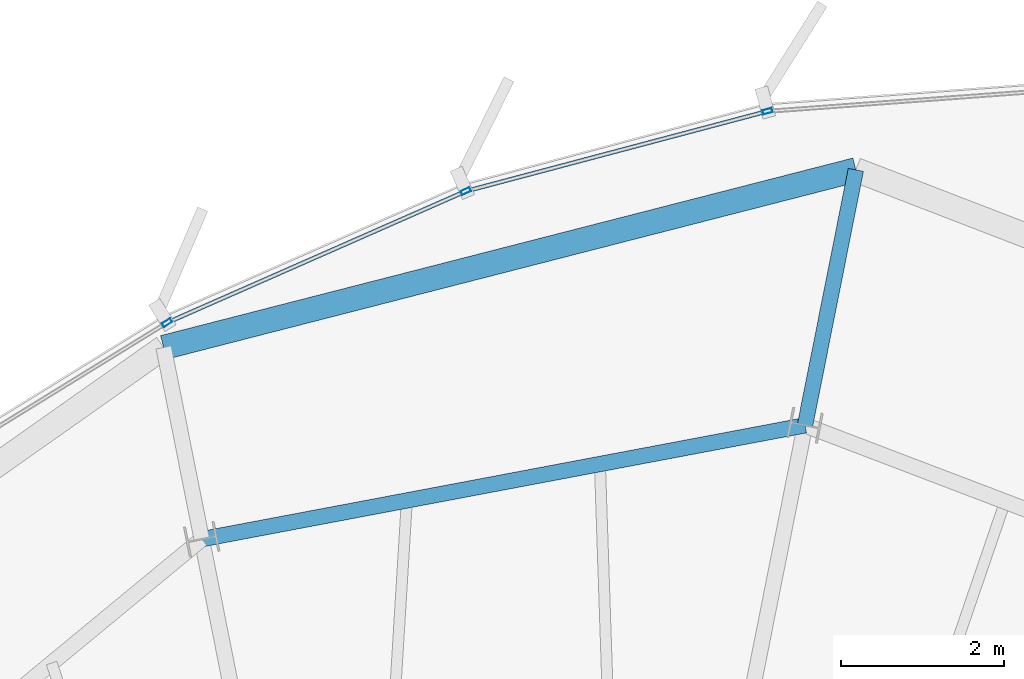
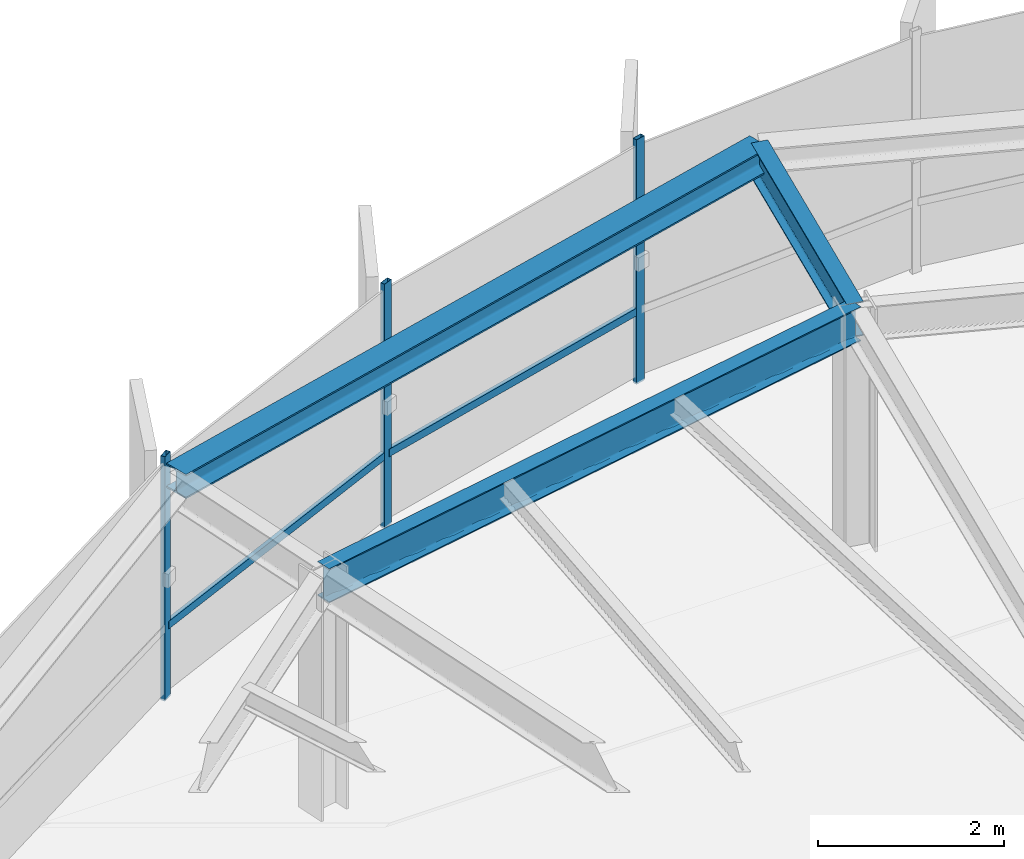
# One storey, part 20 of 31: 5 members, 3 beams, 1 element without a shape of its own.
"""IFC4 building model written with IfcOpenShell, lengths in metres."""

from ifc_helpers import new_model, si_unit, direction, frame, origin, origin_2d, place, context, subcontext, project, spatial, hollow_rectangle, i_section, extrude, source, transform, mapped, material, layer, layer_set, material_profile, profile_set, type_object, element, aggregate, save


model = new_model("IFC4")

# Units and contexts
model_context = context("Model", 3, precision=1e-05, world=origin(), true_north=direction((0.0, 1.0)))
body_context = subcontext(model_context, "Body", "Model", "MODEL_VIEW")
ifc_project = project(units=[si_unit("LENGTHUNIT", "METRE"), si_unit("AREAUNIT", "SQUARE_METRE"), si_unit("VOLUMEUNIT", "CUBIC_METRE"), si_unit("PLANEANGLEUNIT", "RADIAN"), si_unit("MASSUNIT", "GRAM", prefix="KILO"), si_unit("THERMODYNAMICTEMPERATUREUNIT", "KELVIN")], contexts=[model_context])

# Site, building, storey
site_placement = place(None, origin())
site = spatial("IfcSite", under=ifc_project, at=site_placement, CompositionType="ELEMENT")
building_placement = place(site_placement, origin())
building = spatial("IfcBuilding", under=site, at=building_placement, Name="Kethvar Cultural Tower", CompositionType="ELEMENT")
storey_placement = place(building_placement, frame((0.0, 0.0, 269.800048828125)))
storey = spatial("IfcBuildingStorey", under=building, at=storey_placement, Name="L71", CompositionType="ELEMENT", Elevation=269.800048828125)

# Beams
ifc_material_1 = material(Name="Steel S355J2", Category="steel")
ifc_material_profile_1 = material_profile(ifc_material_1, i_section(OverallWidth=0.18994140625, OverallDepth=0.449951171875, WebThickness=0.009521484375, FlangeThickness=0.0146484375, FilletRadius=0.02099609375, at=origin_2d()), Name="Steel S355J2 — IPE450")
ifc_profile_set_1 = profile_set([ifc_material_profile_1], Name="Steel S355J2 — IPE450")
beam_type_1 = type_object("IfcBeamType", Name="BM-IPE450", PredefinedType="BEAM", material=ifc_profile_set_1)
shared_shape_1 = source(origin(), body_context, "Body", "SweptSolid", [
    extrude(i_section(OverallWidth=0.18994140625, OverallDepth=0.449951171875, WebThickness=0.009521484375, FlangeThickness=0.0146484375, FilletRadius=0.02099609375, at=origin_2d()), origin(), (0.0, 0.0, 1.0), 3.199951171875),
])
beam_1_placement = place(storey_placement, frame((50.645263671875, 47.131591796875, 2.98291015625), z_axis=(0.195088965533, 0.980785550224, 0.0), x_axis=(-0.980785550224, 0.195088965533, 0.0)))
element("IfcBeam", 1, at=beam_1_placement, inside=storey, type_object=beam_type_1, Name="L71 Perimeter Cantilever Beam RC-04", PredefinedType="BEAM", context=body_context, shape_type="MappedRepresentation", body=[
    mapped(shared_shape_1, transform((0.0, 0.0, 0.0), scale=1.0)),
])
shared_shape_2 = source(origin(), body_context, "Body", "SweptSolid", [
    extrude(i_section(OverallWidth=0.18994140625, OverallDepth=0.449951171875, WebThickness=0.009521484375, FlangeThickness=0.0146484375, FilletRadius=0.02099609375, at=origin_2d()), origin(), (0.0, 0.0, 1.0), 7.543212890625),
])
beam_2_placement = place(storey_placement, frame((50.645263671875, 47.131591796875, 2.98291015625), z_axis=(-0.982646853086, -0.185486285532, 0.0), x_axis=(0.185486285532, -0.982646853086, 0.0)))
element("IfcBeam", 2, at=beam_2_placement, inside=storey, type_object=beam_type_1, Name="L71 Column Ring Tie Beam CR-04", PredefinedType="BEAM", context=body_context, shape_type="MappedRepresentation", body=[
    mapped(shared_shape_2, transform((0.0, 0.0, 0.0), scale=1.0)),
])
ifc_material_profile_2 = material_profile(ifc_material_1, i_section(OverallWidth=0.300048828125, OverallDepth=0.320068359375, WebThickness=0.011474609375, FlangeThickness=0.0205078125, FilletRadius=0.027099609375, at=origin_2d()), Name="Steel S355J2 — HEB320")
ifc_profile_set_2 = profile_set([ifc_material_profile_2], Name="Steel S355J2 — HEB320")
beam_type_2 = type_object("IfcBeamType", Name="BM-SP320", PredefinedType="SPANDREL", material=ifc_profile_set_2)
shared_shape_3 = source(origin(), body_context, "Body", "SweptSolid", [
    extrude(i_section(OverallWidth=0.300048828125, OverallDepth=0.320068359375, WebThickness=0.011474609375, FlangeThickness=0.0205078125, FilletRadius=0.027099609375, at=origin_2d()), origin(), (0.0, 0.0, 1.0), 8.780517578125),
])
beam_3_placement = place(storey_placement, frame((51.26953125, 50.27001953125, 3.0478515625), z_axis=(-0.968634184718, -0.248491078704, 0.0), x_axis=(0.248491078704, -0.968634184718, 0.0)))
element("IfcBeam", 3, at=beam_3_placement, inside=storey, type_object=beam_type_2, Name="L71 Perimeter Spandrel Beam SP-04", PredefinedType="SPANDREL", context=body_context, shape_type="MappedRepresentation", body=[
    mapped(shared_shape_3, transform((0.0, 0.0, 0.0), scale=1.0)),
])

# Curtain wall, members
ifc_material_2 = material(Name="Aluminium 6063-T6", Category="aluminium")
ifc_layer = layer(ifc_material_2, 0.179931640625, Name="Aluminium 6063-T6", Category="aluminium")
ifc_layer_set = layer_set([ifc_layer], Name="Aluminium 6063-T6 (180 mm)")
curtain_wall_type = type_object("IfcCurtainWallType", Name="CW-SYS-05-Z56", PredefinedType="NOTDEFINED", material=ifc_layer_set)
curtain_wall_placement = place(storey_placement, origin())
curtain_wall = element("IfcCurtainWall", 4, at=curtain_wall_placement, inside=storey, type_object=curtain_wall_type, Name="L71 Curtain Wall Run 01", PredefinedType="NOTDEFINED")
ifc_material_profile_3 = material_profile(ifc_material_2, hollow_rectangle(XDim=0.054931640625, YDim=0.1201171875, WallThickness=0.00390625, at=origin_2d()), Name="Aluminium 6063-T6 — RHS120x55x4")
ifc_profile_set_3 = profile_set([ifc_material_profile_3], Name="Aluminium 6063-T6 — RHS120x55x4")
member_type_1 = type_object("IfcMemberType", Name="CW-SYS-05-Z56-MUL", PredefinedType="MULLION", material=ifc_profile_set_3)
shared_shape_4 = source(origin(), body_context, "Body", "SweptSolid", [
    extrude(hollow_rectangle(XDim=0.054931640625, YDim=0.1201171875, WallThickness=0.00390625, at=origin_2d()), origin(), (0.0, 0.0, 1.0), 3.2099609375),
])
member_1_placement = place(storey_placement, frame((50.184814453125, 50.99072265625, 0.0), z_axis=(0.0, 0.0, 1.0), x_axis=(0.256373723929, -0.966577732869, 0.0)))
member_1 = element("IfcMember", 5, at=member_1_placement, type_object=member_type_1, Name="CW-L71-R01 Mullion 4", PredefinedType="MULLION", context=body_context, shape_type="MappedRepresentation", body=[
    mapped(shared_shape_4, transform((0.0, 0.0, 0.0), scale=1.0)),
])
member_2_placement = place(storey_placement, frame((46.478759765625, 50.009033203125, 0.0), z_axis=(0.0, 0.0, 1.0), x_axis=(0.403034223561, -0.915184907349, 0.0)))
member_2 = element("IfcMember", 6, at=member_2_placement, type_object=member_type_1, Name="CW-L71-R01 Mullion 5", PredefinedType="MULLION", context=body_context, shape_type="MappedRepresentation", body=[
    mapped(shared_shape_4, transform((0.0, 0.0, 0.0), scale=1.0)),
])
member_3_placement = place(storey_placement, frame((42.806884765625, 48.39306640625, 0.0), z_axis=(0.0, 0.0, 1.0), x_axis=(0.524595254774, -0.851351759656, 0.0)))
member_3 = element("IfcMember", 7, at=member_3_placement, type_object=member_type_1, Name="CW-L71-R01 Mullion 6", PredefinedType="MULLION", context=body_context, shape_type="MappedRepresentation", body=[
    mapped(shared_shape_4, transform((0.0, 0.0, 0.0), scale=1.0)),
])
ifc_material_profile_4 = material_profile(ifc_material_2, hollow_rectangle(XDim=0.050048828125, YDim=0.10009765625, WallThickness=0.00390625, at=origin_2d()), Name="Aluminium 6063-T6 — RHS100x50x4")
ifc_profile_set_4 = profile_set([ifc_material_profile_4], Name="Aluminium 6063-T6 — RHS100x50x4")
member_type_2 = type_object("IfcMemberType", Name="CW-SYS-05-Z56-TRN", PredefinedType="USERDEFINED", material=ifc_profile_set_4)
shared_shape_5 = source(origin(), body_context, "Body", "SweptSolid", [
    extrude(hollow_rectangle(XDim=0.050048828125, YDim=0.10009765625, WallThickness=0.00390625, at=origin_2d()), origin(), (0.0, 0.0, 1.0), 3.77001953125),
])
member_4_placement = place(storey_placement, frame((50.146484375, 50.980712890625, 0.949951171875), z_axis=(-0.966576951878, -0.256376668396, 0.0), x_axis=(0.256376668396, -0.966576951878, 0.0)))
member_4 = element("IfcMember", 8, at=member_4_placement, type_object=member_type_2, Name="CW-L71-R01 Transom 4", ObjectType="TRANSOM", PredefinedType="USERDEFINED", context=body_context, shape_type="MappedRepresentation", body=[
    mapped(shared_shape_5, transform((0.0, 0.0, 0.0), scale=1.0)),
])
shared_shape_6 = source(origin(), body_context, "Body", "SweptSolid", [
    extrude(hollow_rectangle(XDim=0.050048828125, YDim=0.10009765625, WallThickness=0.00390625, at=origin_2d()), origin(), (0.0, 0.0, 1.0), 3.946533203125),
])
member_5_placement = place(storey_placement, frame((46.442626953125, 49.9931640625, 0.949951171875), z_axis=(-0.915186369185, -0.403030904099, 0.0), x_axis=(0.403030904099, -0.915186369185, 0.0)))
member_5 = element("IfcMember", 9, at=member_5_placement, type_object=member_type_2, Name="CW-L71-R01 Transom 5", ObjectType="TRANSOM", PredefinedType="USERDEFINED", context=body_context, shape_type="MappedRepresentation", body=[
    mapped(shared_shape_6, transform((0.0, 0.0, 0.0), scale=1.0)),
])
aggregate(curtain_wall, [member_1, member_2, member_3, member_4, member_5])

save(model, "model.ifc")
